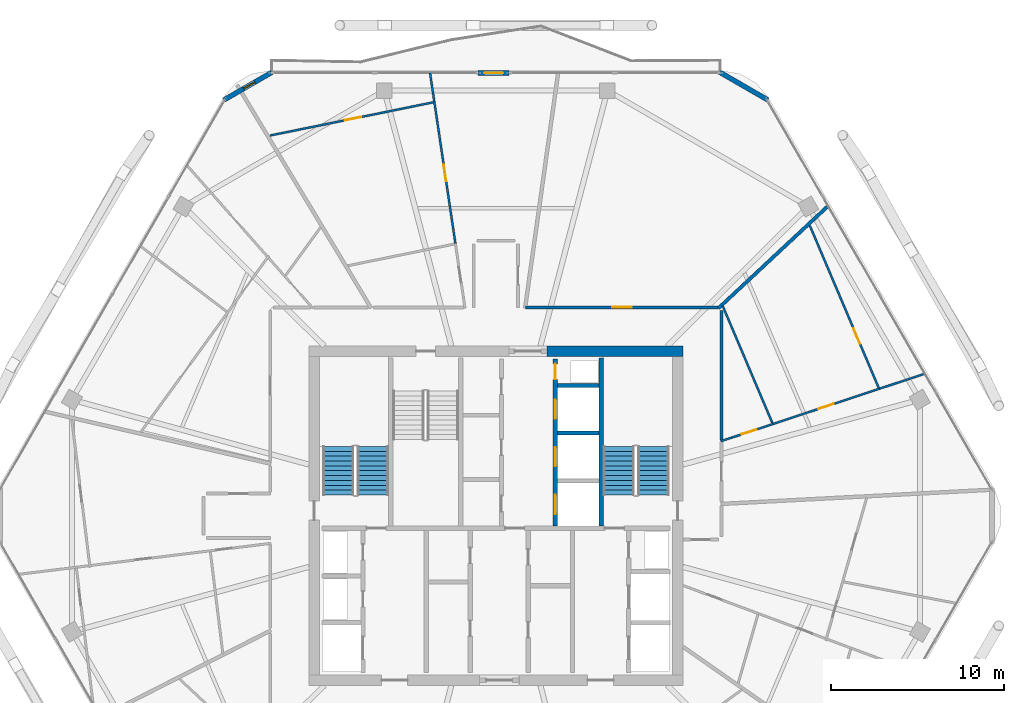
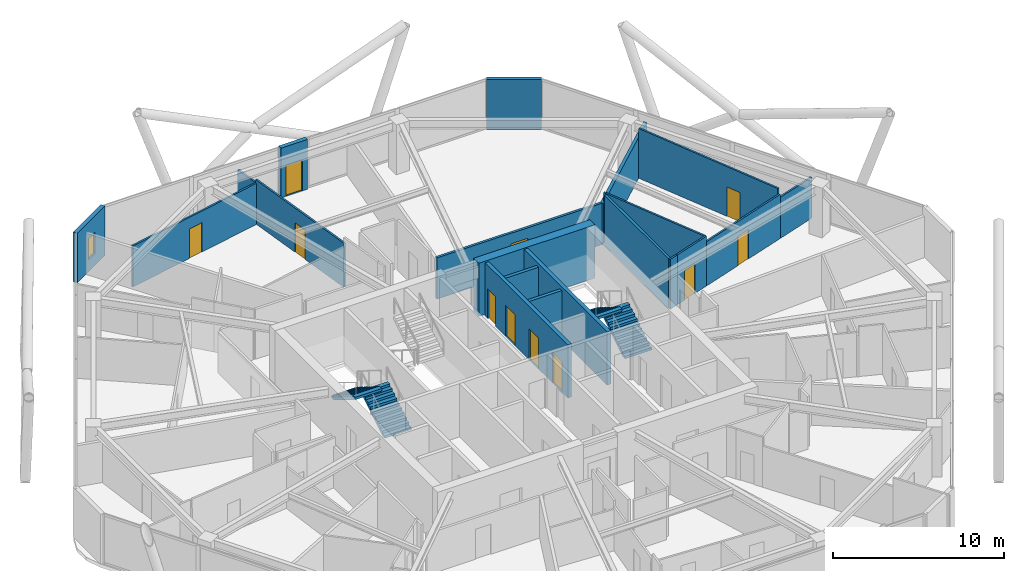
# One storey, part 24 of 28: 20 walls, 11 doors, 4 stair flights, 1 window, 12 openings, 2 elements without a shape of their own.
"""IFC4 building model written with IfcOpenShell, lengths in metres."""

import ifcopenshell
import ifcopenshell.guid

model = None  # the IFC model being written
_history = None  # IfcOwnerHistory: only IFC2X3 demands one
_inside = {}  # id of a spatial element -> (the spatial element, [elements in it])
_under = {}  # id of a project, library or spatial element -> (it, [spatial elements below it])
_declared = {}  # id of a project -> (the project, [libraries it declares])
_typed = {}  # id of a type object -> (the type object, [elements of that type])
_made_of = {}  # id of a material, layer set ... -> (it, [elements and type objects made of it])


def new_model(schema):
    """Start an empty IFC model of exactly this schema.

    Asked for "IFC4X3", IfcOpenShell would pick the latest addendum, in which some entities
    have other attributes; the version numbers below select the first issue.
    IFC2X3 requires an IfcOwnerHistory on every rooted entity: one is made here for all.
    """
    global model, _history
    if schema == "IFC4X3":
        model = ifcopenshell.file(schema_version=(4, 3, 0, 0))
    else:
        model = ifcopenshell.file(schema=schema)
    _inside.clear()
    _under.clear()
    _declared.clear()
    _typed.clear()
    _made_of.clear()
    _history = None
    if model.schema == "IFC2X3":
        org = make("IfcOrganization", Name="unknown")
        user = make(
            "IfcPersonAndOrganization",
            ThePerson=make("IfcPerson", FamilyName="unknown"),
            TheOrganization=org,
        )
        app = make(
            "IfcApplication",
            ApplicationDeveloper=org,
            Version="unknown",
            ApplicationFullName="unknown",
            ApplicationIdentifier="unknown",
        )
        _history = make(
            "IfcOwnerHistory",
            OwningUser=user,
            OwningApplication=app,
            ChangeAction="ADDED",
            CreationDate=0,
        )
    return model


def make(cls, **values):
    """One entity of the class cls with the attributes given. An attribute that is None is left unset."""
    return model.create_entity(
        cls, **{name: value for name, value in values.items() if value is not None}
    )


def rooted(cls, **values):
    """An entity with a GlobalId (a new one), such as an element, a storey or a relation."""
    return make(cls, GlobalId=ifcopenshell.guid.new(), OwnerHistory=_history, **values)


def si_unit(unit_type, name, prefix=None):
    """IfcSIUnit, for example si_unit("LENGTHUNIT", "METRE", prefix="MILLI")."""
    return make("IfcSIUnit", UnitType=unit_type, Prefix=prefix, Name=name)


def assignment(units):
    """IfcUnitAssignment: the units of a project."""
    return None if units is None else make("IfcUnitAssignment", Units=units)


def point(xyz):
    """IfcCartesianPoint."""
    return None if xyz is None else make("IfcCartesianPoint", Coordinates=xyz)


def direction(xyz):
    """IfcDirection."""
    return None if xyz is None else make("IfcDirection", DirectionRatios=xyz)


def frame(location, z_axis=None, x_axis=None):
    """IfcAxis2Placement3D, a coordinate frame: its origin and axes. An axis left out is left unset."""
    return make(
        "IfcAxis2Placement3D",
        Location=point(location),
        Axis=direction(z_axis),
        RefDirection=direction(x_axis),
    )


def frame_2d(location, x_axis=None):
    """IfcAxis2Placement2D, a coordinate frame in the plane: its origin and x axis."""
    return make(
        "IfcAxis2Placement2D", Location=point(location), RefDirection=direction(x_axis)
    )


def origin():
    """The frame at (0, 0, 0) with its axes left unset."""
    return frame((0.0, 0.0, 0.0))


def place(relative_to, where):
    """IfcLocalPlacement: puts the frame where relative to a parent placement (None: the world)."""
    return make(
        "IfcLocalPlacement", PlacementRelTo=relative_to, RelativePlacement=where
    )


def context(
    kind, dimensions, precision=None, world=None, true_north=None, identifier=None
):
    """IfcGeometricRepresentationContext, for example the 3D "Model" context."""
    return make(
        "IfcGeometricRepresentationContext",
        ContextIdentifier=identifier,
        ContextType=kind,
        CoordinateSpaceDimension=dimensions,
        Precision=precision,
        WorldCoordinateSystem=world,
        TrueNorth=true_north,
    )


def subcontext(parent, identifier, kind, view, scale=None):
    """IfcGeometricRepresentationSubContext, for example "Body" below "Model"."""
    return make(
        "IfcGeometricRepresentationSubContext",
        ContextIdentifier=identifier,
        ContextType=kind,
        ParentContext=parent,
        TargetScale=scale,
        TargetView=view,
    )


def project(units=None, contexts=None):
    """IfcProject with its units and contexts."""
    return rooted(
        "IfcProject",
        Name="project",
        RepresentationContexts=contexts,
        UnitsInContext=assignment(units),
    )


def spatial(cls, under=None, at=None, **own):
    """A site, building, storey or space (cls), placed at a placement, below another one or the project."""
    s = rooted(cls, ObjectPlacement=at, **own)
    if under is not None:
        _under.setdefault(under.id(), (under, []))[1].append(s)
    return s


def polyline(points):
    """IfcPolyline through the points."""
    return make("IfcPolyline", Points=[point(p) for p in points])


def profile(cls, at=None, kind="AREA", **sizes):
    """A parametric profile (cls). Its sizes go by their IFC names, for example OverallWidth=200.0."""
    return make(cls, ProfileType=kind, Position=at, **sizes)


def rectangle(**sizes):
    """IfcRectangleProfileDef."""
    return profile("IfcRectangleProfileDef", **sizes)


def outline(outer, holes=None, kind="AREA"):
    """IfcArbitraryClosedProfileDef: a profile drawn as a closed curve; with holes, ...WithVoids."""
    if holes is None:
        return make("IfcArbitraryClosedProfileDef", ProfileType=kind, OuterCurve=outer)
    return make(
        "IfcArbitraryProfileDefWithVoids",
        ProfileType=kind,
        OuterCurve=outer,
        InnerCurves=holes,
    )


def extrude(swept, where, along, depth):
    """IfcExtrudedAreaSolid: the profile swept, set in the frame where, extruded along a direction by depth."""
    return make(
        "IfcExtrudedAreaSolid",
        SweptArea=swept,
        Position=where,
        ExtrudedDirection=direction(along),
        Depth=depth,
    )


def shape(context_of_items, identifier, shape_type, items):
    """IfcShapeRepresentation: the items that make up one representation, for example the "Body"."""
    return make(
        "IfcShapeRepresentation",
        ContextOfItems=context_of_items,
        RepresentationIdentifier=identifier,
        RepresentationType=shape_type,
        Items=items,
    )


def material(Name=None, Category=None):
    """IfcMaterial."""
    return make("IfcMaterial", Name=Name, Category=Category)


def layer(
    of_material, thickness, ventilated=None, Name=None, Category=None, Priority=None
):
    """IfcMaterialLayer: one layer of a wall or slab, of a material (None: an air gap)."""
    return make(
        "IfcMaterialLayer",
        Material=of_material,
        LayerThickness=thickness,
        IsVentilated=ventilated,
        Name=Name,
        Category=Category,
        Priority=Priority,
    )


def layer_set(layers, Name=None):
    """IfcMaterialLayerSet."""
    return make("IfcMaterialLayerSet", MaterialLayers=layers, LayerSetName=Name)


def made_of(thing, what):
    """Note that an element or type object is made of a material, layer set ...; save() writes the relation."""
    if what is not None:
        _made_of.setdefault(what.id(), (what, []))[1].append(thing)
    return thing


def type_object(cls, material=None, **own):
    """A type object (cls), such as IfcWallType, which elements share."""
    return made_of(rooted(cls, **own), material)


def element(
    cls,
    number,
    at=None,
    inside=None,
    cuts=None,
    type_object=None,
    material=None,
    context=None,
    identifier="Body",
    shape_type=None,
    held_by="IfcProductDefinitionShape",
    body=None,
    shapes=None,
    **own,
):
    """One element of the class cls, such as IfcWall. Its Tag is "e" and its number.

    at: its placement. inside: the storey or other place that contains it. cuts: it is an
    opening in that element (IfcRelVoidsElement). A single representation is given by context,
    identifier, shape_type and body (its items); several are given by shapes. held_by: the class
    of the entity that holds the representations. save() writes the other relations.
    """
    e = rooted(cls, Tag="e%d" % number, ObjectPlacement=at, **own)
    if body is not None:
        shapes = [shape(context, identifier, shape_type, body)]
    if shapes is not None:
        e.Representation = make(held_by, Representations=shapes)
    if inside is not None:
        _inside.setdefault(inside.id(), (inside, []))[1].append(e)
    if cuts is not None:
        rooted(
            "IfcRelVoidsElement", RelatingBuildingElement=cuts, RelatedOpeningElement=e
        )
    if type_object is not None:
        _typed.setdefault(type_object.id(), (type_object, []))[1].append(e)
    return made_of(e, material)


def fill(opening, filler):
    """IfcRelFillsElement: the door or window that sits in an opening."""
    return rooted(
        "IfcRelFillsElement",
        RelatingOpeningElement=opening,
        RelatedBuildingElement=filler,
    )


def aggregate(whole, parts):
    """IfcRelAggregates: a whole, such as a stair, and the parts it consists of."""
    return rooted("IfcRelAggregates", RelatingObject=whole, RelatedObjects=parts)


def save(model, path):
    """Write the relations noted so far, then the file.

    IfcRelAggregates (storeys below a building ...), IfcRelContainedInSpatialStructure (elements
    in a storey), IfcRelDefinesByType, IfcRelAssociatesMaterial and IfcRelDeclares: one each for
    every whole, place, type object, material and project.
    """
    for whole, parts in _under.values():
        aggregate(whole, parts)
    for where, things in _inside.values():
        rooted(
            "IfcRelContainedInSpatialStructure",
            RelatedElements=things,
            RelatingStructure=where,
        )
    for kind, things in _typed.values():
        rooted("IfcRelDefinesByType", RelatedObjects=things, RelatingType=kind)
    for what, things in _made_of.values():
        rooted("IfcRelAssociatesMaterial", RelatedObjects=things, RelatingMaterial=what)
    for by, libraries in _declared.values():
        rooted("IfcRelDeclares", RelatingContext=by, RelatedDefinitions=libraries)
    model.write(path)


model = new_model("IFC4")

# Units and contexts
model_context = context("Model", 3, precision=1e-05, world=origin(), true_north=direction((0.0, 1.0)))
body_context = subcontext(model_context, "Body", "Model", "MODEL_VIEW")
ifc_project = project(units=[si_unit("LENGTHUNIT", "METRE"), si_unit("AREAUNIT", "SQUARE_METRE"), si_unit("VOLUMEUNIT", "CUBIC_METRE"), si_unit("PLANEANGLEUNIT", "RADIAN"), si_unit("MASSUNIT", "GRAM", prefix="KILO")], contexts=[model_context])

# Site, building, storey
site_placement = place(None, origin())
site = spatial("IfcSite", under=ifc_project, at=site_placement, CompositionType="ELEMENT")
building_placement = place(site_placement, origin())
building = spatial("IfcBuilding", under=site, at=building_placement, Name="Zuhravey Tower", CompositionType="ELEMENT")
storey_placement = place(building_placement, frame((0.0, 0.0, 254.0)))
storey = spatial("IfcBuildingStorey", under=building, at=storey_placement, Name="L64", CompositionType="ELEMENT", Elevation=254.0)

# Wall
ifc_material_1 = material(Name="Concrete C50/60", Category="concrete")
ifc_layer_1 = layer(ifc_material_1, 0.60009765625)
ifc_layer_set_1 = layer_set([ifc_layer_1], Name="Concrete C50/60")
wall_type_1 = type_object("IfcWallType", Name="Core Shear Wall 600", PredefinedType="SHEAR", material=ifc_layer_set_1)
wall_1_placement = place(storey_placement, frame((46.800048828125, 41.5, 0.0), z_axis=(0.0, 0.0, 1.0), x_axis=(-1.0, 0.0, 0.0)))
element("IfcWall", 1, at=wall_1_placement, inside=storey, type_object=wall_type_1, Name="L64 North-East Core Shear Wall CW60", PredefinedType="SHEAR", context=body_context, shape_type="SweptSolid", body=[
    extrude(rectangle(XDim=7.85009765625, YDim=0.60009765625, at=frame_2d((3.925048828125, 0.0))), origin(), (0.0, 0.0, 1.0), 3.800048828125),
])

# Wall, opening, door
ifc_material_2 = material(Name="Gypsum fire-rated stud partition")
ifc_layer_2 = layer(ifc_material_2, 0.159912109375)
ifc_layer_set_2 = layer_set([ifc_layer_2], Name="Gypsum fire-rated stud partition")
wall_type_2 = type_object("IfcWallType", Name="Corridor Fire Partition 160", PredefinedType="PARTITIONING", material=ifc_layer_set_2)
wall_2_placement = place(storey_placement, frame((48.85009765625, 44.030029296875, 0.0), z_axis=(0.0, 0.0, 1.0), x_axis=(-1.0, 0.0, 0.0)))
wall_2 = element("IfcWall", 2, at=wall_2_placement, inside=storey, type_object=wall_type_2, Name="L64 IW16 Partition 056", PredefinedType="PARTITIONING", context=body_context, shape_type="SweptSolid", body=[
    extrude(rectangle(XDim=11.13916015625, YDim=0.159912109375, at=frame_2d((5.569580078125, 0.0))), origin(), (0.0, 0.0, 1.0), 2.949951171875),
])
opening_1_placement = place(wall_2_placement, frame((4.994384765625, 0.0, 0.0)))
opening_1 = element("IfcOpeningElement", 3, at=opening_1_placement, cuts=wall_2, Name="Opening CLD1", PredefinedType="OPENING", context=body_context, shape_type="SweptSolid", body=[
    extrude(rectangle(XDim=1.14990234375, YDim=2.199951171875, at=frame_2d((0.574951171875, 1.10009765625))), frame((0.0, 0.092041015625, 0.0), z_axis=(0.0, -1.0, 0.0), x_axis=(1.0, 0.0, 0.0)), (0.0, 0.0, 1.0), 0.183837890625),
])
ifc_material_3 = material(Name="Acoustic timber leaf with vision lite", Category="wood")
door_type_1 = type_object("IfcDoorType", Name="Classroom Acoustic Door 1150x2200", OperationType="NOTDEFINED", PredefinedType="DOOR", material=ifc_material_3)
door_1_placement = place(opening_1_placement, frame((1.14990234375, 0.0, 0.0), z_axis=(0.0, 0.0, 1.0), x_axis=(-1.0, 0.0, 0.0)))
door_1 = element("IfcDoor", 4, at=door_1_placement, inside=storey, type_object=door_type_1, Name="L64 Door 056.1", OperationType="SINGLE_SWING_LEFT", OverallHeight=2.199951171875, OverallWidth=1.14990234375, PredefinedType="DOOR", context=body_context, shape_type="SweptSolid", body=[
    extrude(rectangle(XDim=1.14990234375, YDim=2.199951171875, at=frame_2d((0.574951171875, 1.10009765625))), frame((0.0, 0.02490234375, 0.0), z_axis=(0.0, -1.0, 0.0), x_axis=(1.0, 0.0, 0.0)), (0.0, 0.0, 1.0), 0.050048828125),
])
fill(opening_1, door_1)

# Wall
wall_3_placement = place(storey_placement, frame((49.030029296875, 36.385986328125, 0.0), z_axis=(0.0, 0.0, 1.0), x_axis=(0.0, 1.0, 0.0)))
element("IfcWall", 5, at=wall_3_placement, inside=storey, type_object=wall_type_2, Name="L64 IW16 Partition 119", PredefinedType="PARTITIONING", context=body_context, shape_type="SweptSolid", body=[
    extrude(rectangle(XDim=7.464111328125, YDim=0.159912109375, at=frame_2d((3.73193359375, 0.0))), origin(), (0.0, 0.0, 1.0), 3.550048828125),
])

# Wall, opening, window
ifc_material_4 = material(Name="Precast concrete C40/50", Category="concrete")
ifc_layer_3 = layer(ifc_material_4, 0.280029296875)
ifc_layer_set_3 = layer_set([ifc_layer_3], Name="Precast concrete C40/50")
wall_type_3 = type_object("IfcWallType", Name="Crown Architectural Wall 280", PredefinedType="SOLIDWALL", material=ifc_layer_set_3)
wall_4_placement = place(storey_placement, frame((20.285400390625, 56.003662109375, 0.0), z_axis=(0.0, 0.0, 1.0), x_axis=(0.866028773314, 0.499994163758, 0.0)))
wall_4 = element("IfcWall", 6, at=wall_4_placement, inside=storey, type_object=wall_type_3, Name="L64 Rounded Corner Closure Wall EW28-08", PredefinedType="SOLIDWALL", context=body_context, shape_type="SweptSolid", body=[
    extrude(rectangle(XDim=3.21484375, YDim=0.280029296875, at=frame_2d((1.607421875, 0.0))), origin(), (0.0, 0.0, 1.0), 3.550048828125),
])
opening_2_placement = place(wall_4_placement, frame((1.324462890625, 0.0, 0.85009765625)))
opening_2 = element("IfcOpeningElement", 7, at=opening_2_placement, cuts=wall_4, Name="Opening WN5", PredefinedType="OPENING", context=body_context, shape_type="SweptSolid", body=[
    extrude(rectangle(XDim=0.75, YDim=1.5, at=frame_2d((0.375, 0.75))), frame((0.0, 0.152099609375, 0.0), z_axis=(0.0, -1.0, 0.0), x_axis=(1.0, 0.0, 0.0)), (0.0, 0.0, 1.0), 0.303955078125),
])
ifc_material_5 = material(Name="Thermally broken aluminium and triple low-E glass", Category="aluminium")
window_type = type_object("IfcWindowType", Name="Residential Corner Casement Window 750x1500", PartitioningType="SINGLE_PANEL", PredefinedType="WINDOW", material=ifc_material_5)
window_placement = place(opening_2_placement, origin())
window = element("IfcWindow", 8, at=window_placement, inside=storey, type_object=window_type, Name="L64 Corner Casement Window WN5-08.1", OverallHeight=1.5, OverallWidth=0.75, PartitioningType="SINGLE_PANEL", PredefinedType="WINDOW", context=body_context, shape_type="SweptSolid", body=[
    extrude(rectangle(XDim=0.75, YDim=1.5, at=frame_2d((0.375, 0.75))), frame((0.0, 0.030029296875, 0.0), z_axis=(0.0, -1.0, 0.0), x_axis=(1.0, 0.0, 0.0)), (0.0, 0.0, 1.0), 0.06005859375),
])
fill(opening_2, window)

# Wall, opening, door
wall_5_placement = place(storey_placement, frame((34.980224609375, 57.563720703125, 0.0), z_axis=(0.0, 0.0, 1.0), x_axis=(1.0, 0.0, 0.0)))
wall_5 = element("IfcWall", 9, at=wall_5_placement, inside=storey, type_object=wall_type_3, Name="L64 Face 2 Facade Pier EW28-1", PredefinedType="SOLIDWALL", context=body_context, shape_type="SweptSolid", body=[
    extrude(rectangle(XDim=1.7900390625, YDim=0.280029296875, at=frame_2d((0.89501953125, 0.0))), origin(), (0.0, 0.0, 1.0), 3.550048828125),
])
opening_3_placement = place(wall_5_placement, frame((0.344970703125, 0.0, 0.0)))
opening_3 = element("IfcOpeningElement", 10, at=opening_3_placement, cuts=wall_5, Name="Opening BLD1", PredefinedType="OPENING", context=body_context, shape_type="SweptSolid", body=[
    extrude(rectangle(XDim=1.10009765625, YDim=2.199951171875, at=frame_2d((0.550048828125, 1.10009765625))), frame((0.0, 0.152099609375, 0.0), z_axis=(0.0, -1.0, 0.0), x_axis=(1.0, 0.0, 0.0)), (0.0, 0.0, 1.0), 0.303955078125),
])
ifc_material_6 = material(Name="Thermally broken aluminium and low-E glass", Category="aluminium")
door_type_2 = type_object("IfcDoorType", Name="Balcony & Sky-Tray Glazed Door 1100x2200", OperationType="NOTDEFINED", PredefinedType="DOOR", material=ifc_material_6)
door_2_placement = place(opening_3_placement, frame((1.10009765625, 0.0, 0.0), z_axis=(0.0, 0.0, 1.0), x_axis=(-1.0, 0.0, 0.0)))
door_2 = element("IfcDoor", 11, at=door_2_placement, inside=storey, type_object=door_type_2, Name="L64 Face 2 Wave Balcony Door", OperationType="SINGLE_SWING_RIGHT", OverallHeight=2.199951171875, OverallWidth=1.10009765625, PredefinedType="DOOR", context=body_context, shape_type="SweptSolid", body=[
    extrude(rectangle(XDim=1.10009765625, YDim=2.199951171875, at=frame_2d((0.550048828125, 1.10009765625))), frame((0.0, 0.02490234375, 0.0), z_axis=(0.0, -1.0, 0.0), x_axis=(1.0, 0.0, 0.0)), (0.0, 0.0, 1.0), 0.050048828125),
])
fill(opening_3, door_2)

# Walls
wall_6_placement = place(storey_placement, frame((48.930419921875, 57.611083984375, 0.0), z_axis=(0.0, 0.0, 1.0), x_axis=(0.866028773314, -0.499994163758, 0.0)))
element("IfcWall", 12, at=wall_6_placement, inside=storey, type_object=wall_type_3, Name="L64 Rounded Corner Closure Wall EW28-10", PredefinedType="SOLIDWALL", context=body_context, shape_type="SweptSolid", body=[
    extrude(rectangle(XDim=3.21484375, YDim=0.280029296875, at=frame_2d((1.607421875, 0.0))), origin(), (0.0, 0.0, 1.0), 3.550048828125),
])
ifc_layer_4 = layer(ifc_material_1, 0.25)
ifc_layer_set_4 = layer_set([ifc_layer_4], Name="Concrete C50/60")
wall_type_4 = type_object("IfcWallType", Name="Firefighting Shaft & Stair Wall 250", PredefinedType="SOLIDWALL", material=ifc_layer_set_4)
wall_7_placement = place(storey_placement, frame((42.074951171875, 31.39990234375, 0.0), z_axis=(0.0, 0.0, 1.0), x_axis=(0.0, 1.0, 0.0)))
element("IfcWall", 13, at=wall_7_placement, inside=storey, type_object=wall_type_4, Name="L64 FW25 Shaft Wall 006", PredefinedType="SOLIDWALL", context=body_context, shape_type="SweptSolid", body=[
    extrude(rectangle(XDim=9.7001953125, YDim=0.25, at=frame_2d((4.85009765625, 0.0))), origin(), (0.0, 0.0, 1.0), 3.800048828125),
])

# Wall, openings, doors
wall_8_placement = place(storey_placement, frame((39.425048828125, 31.39990234375, 0.0), z_axis=(0.0, 0.0, 1.0), x_axis=(0.0, 1.0, 0.0)))
wall_8 = element("IfcWall", 14, at=wall_8_placement, inside=storey, type_object=wall_type_4, Name="L64 FW25 Shaft Wall 008", PredefinedType="SOLIDWALL", context=body_context, shape_type="SweptSolid", body=[
    extrude(rectangle(XDim=9.650146484375, YDim=0.25, at=frame_2d((4.8251953125, 0.0))), origin(), (0.0, 0.0, 1.0), 3.800048828125),
])
opening_4_placement = place(wall_8_placement, frame((0.699951171875, 0.0, 0.0)))
opening_4 = element("IfcOpeningElement", 15, at=opening_4_placement, cuts=wall_8, Name="Opening LD1", PredefinedType="OPENING", context=body_context, shape_type="SweptSolid", body=[
    extrude(rectangle(XDim=1.10009765625, YDim=2.199951171875, at=frame_2d((0.550048828125, 1.10009765625))), frame((0.0, 0.136962890625, 0.0), z_axis=(0.0, -1.0, 0.0), x_axis=(1.0, 0.0, 0.0)), (0.0, 0.0, 1.0), 0.27392578125),
])
opening_5_placement = place(wall_8_placement, frame((3.449951171875, 0.0, 0.0)))
opening_5 = element("IfcOpeningElement", 16, at=opening_5_placement, cuts=wall_8, Name="Opening LD1", PredefinedType="OPENING", context=body_context, shape_type="SweptSolid", body=[
    extrude(rectangle(XDim=1.10009765625, YDim=2.199951171875, at=frame_2d((0.550048828125, 1.10009765625))), frame((0.0, 0.136962890625, 0.0), z_axis=(0.0, -1.0, 0.0), x_axis=(1.0, 0.0, 0.0)), (0.0, 0.0, 1.0), 0.27392578125),
])
opening_6_placement = place(wall_8_placement, frame((6.199951171875, 0.0, 0.0)))
opening_6 = element("IfcOpeningElement", 17, at=opening_6_placement, cuts=wall_8, Name="Opening LD1", PredefinedType="OPENING", context=body_context, shape_type="SweptSolid", body=[
    extrude(rectangle(XDim=1.10009765625, YDim=2.199951171875, at=frame_2d((0.550048828125, 1.10009765625))), frame((0.0, 0.136962890625, 0.0), z_axis=(0.0, -1.0, 0.0), x_axis=(1.0, 0.0, 0.0)), (0.0, 0.0, 1.0), 0.27392578125),
])
opening_7_placement = place(wall_8_placement, frame((8.469970703125, 0.0, 0.0)))
opening_7 = element("IfcOpeningElement", 18, at=opening_7_placement, cuts=wall_8, Name="Opening RSD1", PredefinedType="OPENING", context=body_context, shape_type="SweptSolid", body=[
    extrude(rectangle(XDim=0.89990234375, YDim=2.10009765625, at=frame_2d((0.449951171875, 1.050048828125))), frame((0.0, 0.136962890625, 0.0), z_axis=(0.0, -1.0, 0.0), x_axis=(1.0, 0.0, 0.0)), (0.0, 0.0, 1.0), 0.27392578125),
])
ifc_material_7 = material(Name="Brushed stainless steel", Category="steel")
door_type_3 = type_object("IfcDoorType", Name="Lift Landing Sliding Door 1100x2200", OperationType="DOUBLE_DOOR_SLIDING", PredefinedType="DOOR", material=ifc_material_7)
door_3_placement = place(opening_4_placement, origin())
door_3 = element("IfcDoor", 19, at=door_3_placement, inside=storey, type_object=door_type_3, Name="L64 Lift PL7 Landing Door", OperationType="DOUBLE_DOOR_SLIDING", OverallHeight=2.199951171875, OverallWidth=1.10009765625, PredefinedType="DOOR", context=body_context, shape_type="SweptSolid", body=[
    extrude(rectangle(XDim=1.10009765625, YDim=2.199951171875, at=frame_2d((0.550048828125, 1.10009765625))), frame((0.0, 0.02490234375, 0.0), z_axis=(0.0, -1.0, 0.0), x_axis=(1.0, 0.0, 0.0)), (0.0, 0.0, 1.0), 0.050048828125),
])
fill(opening_4, door_3)
door_4_placement = place(opening_5_placement, origin())
door_4 = element("IfcDoor", 20, at=door_4_placement, inside=storey, type_object=door_type_3, Name="L64 Lift PL8 Landing Door", OperationType="DOUBLE_DOOR_SLIDING", OverallHeight=2.199951171875, OverallWidth=1.10009765625, PredefinedType="DOOR", context=body_context, shape_type="SweptSolid", body=[
    extrude(rectangle(XDim=1.10009765625, YDim=2.199951171875, at=frame_2d((0.550048828125, 1.10009765625))), frame((0.0, 0.02490234375, 0.0), z_axis=(0.0, -1.0, 0.0), x_axis=(1.0, 0.0, 0.0)), (0.0, 0.0, 1.0), 0.050048828125),
])
fill(opening_5, door_4)
door_5_placement = place(opening_6_placement, origin())
door_5 = element("IfcDoor", 21, at=door_5_placement, inside=storey, type_object=door_type_3, Name="L64 Lift PL9 Landing Door", OperationType="DOUBLE_DOOR_SLIDING", OverallHeight=2.199951171875, OverallWidth=1.10009765625, PredefinedType="DOOR", context=body_context, shape_type="SweptSolid", body=[
    extrude(rectangle(XDim=1.10009765625, YDim=2.199951171875, at=frame_2d((0.550048828125, 1.10009765625))), frame((0.0, 0.02490234375, 0.0), z_axis=(0.0, -1.0, 0.0), x_axis=(1.0, 0.0, 0.0)), (0.0, 0.0, 1.0), 0.050048828125),
])
fill(opening_6, door_5)
ifc_material_8 = material(Name="Galvanised fire-rated steel access leaf", Category="steel")
door_type_4 = type_object("IfcDoorType", Name="Riser & Shaft Access Fire Door 900x2100", OperationType="NOTDEFINED", PredefinedType="DOOR", material=ifc_material_8)
door_6_placement = place(opening_7_placement, origin())
door_6 = element("IfcDoor", 22, at=door_6_placement, inside=storey, type_object=door_type_4, Name="L64 North Riser Door", OperationType="SINGLE_SWING_RIGHT", OverallHeight=2.10009765625, OverallWidth=0.89990234375, PredefinedType="DOOR", context=body_context, shape_type="SweptSolid", body=[
    extrude(rectangle(XDim=0.89990234375, YDim=2.10009765625, at=frame_2d((0.449951171875, 1.050048828125))), frame((0.0, 0.02490234375, 0.0), z_axis=(0.0, -1.0, 0.0), x_axis=(1.0, 0.0, 0.0)), (0.0, 0.0, 1.0), 0.050048828125),
])
fill(opening_7, door_6)

# Walls
ifc_material_9 = material(Name="Gypsum double-stud party assembly")
ifc_layer_5 = layer(ifc_material_9, 0.199951171875)
ifc_layer_set_5 = layer_set([ifc_layer_5], Name="Gypsum double-stud party assembly")
wall_type_5 = type_object("IfcWallType", Name="Inter-Tenancy Party Wall 200", PredefinedType="PARTITIONING", material=ifc_layer_set_5)
wall_9_placement = place(storey_placement, frame((48.857421875, 43.989501953125, 0.0), z_axis=(0.0, 0.0, 1.0), x_axis=(0.731342217011, 0.682010675589, 0.0)))
element("IfcWall", 23, at=wall_9_placement, inside=storey, type_object=wall_type_5, Name="L64 IW20 Partition 098", PredefinedType="PARTITIONING", context=body_context, shape_type="SweptSolid", body=[
    extrude(rectangle(XDim=8.65576171875, YDim=0.199951171875, at=frame_2d((4.327880859375, 0.0))), origin(), (0.0, 0.0, 1.0), 2.929931640625),
])
ifc_material_10 = material(Name="Gypsum acoustic stud assembly")
ifc_layer_6 = layer(ifc_material_10, 0.219970703125)
ifc_layer_set_6 = layer_set([ifc_layer_6], Name="Gypsum acoustic stud assembly")
wall_type_6 = type_object("IfcWallType", Name="School Acoustic Compartment Wall 220", PredefinedType="PARTITIONING", material=ifc_layer_set_6)
for number, where, z_axis, x_axis, name in (
    (24, (39.55810546875, 36.77490234375, 0.0), (0.0, 0.0, 1.0), (1.0, 0.0, 0.0), "L64 IW22 Partition 064"),
    (25, (39.55810546875, 39.52490234375, 0.0), (0.0, 0.0, 1.0), (1.0, 0.0, 0.0), "L64 IW22 Partition 065"),
):
    element("IfcWall", number, at=place(storey_placement, frame(where, z_axis=z_axis, x_axis=x_axis)), inside=storey, type_object=wall_type_6, Name=name, PredefinedType="PARTITIONING", context=body_context, shape_type="SweptSolid", body=[
        extrude(rectangle(XDim=2.3837890625, YDim=0.219970703125, at=frame_2d((1.19189453125, 0.0))), origin(), (0.0, 0.0, 1.0), 3.550048828125),
    ])

# Wall, opening, door
ifc_material_11 = material(Name="Gypsum metal-stud partition")
ifc_layer_7 = layer(ifc_material_11, 0.1201171875)
ifc_layer_set_7 = layer_set([ifc_layer_7], Name="Gypsum metal-stud partition")
wall_type_7 = type_object("IfcWallType", Name="Unit Internal Partition 120", PredefinedType="PARTITIONING", material=ifc_layer_set_7)
wall_10_placement = place(storey_placement, frame((49.60009765625, 36.5029296875, 0.0), z_axis=(0.0, 0.0, 1.0), x_axis=(0.949295505905, 0.314385181693, 0.0)))
wall_10 = element("IfcWall", 26, at=wall_10_placement, inside=storey, type_object=wall_type_7, Name="L64 IW12 Partition 052", PredefinedType="PARTITIONING", context=body_context, shape_type="SweptSolid", body=[
    extrude(rectangle(XDim=2.544921875, YDim=0.1201171875, at=frame_2d((1.2724609375, 0.0))), origin(), (0.0, 0.0, 1.0), 3.550048828125),
])
opening_8_placement = place(wall_10_placement, frame((0.618896484375, 0.0, 0.0)))
opening_8 = element("IfcOpeningElement", 27, at=opening_8_placement, cuts=wall_10, Name="Opening WCD1", PredefinedType="OPENING", context=body_context, shape_type="SweptSolid", body=[
    extrude(rectangle(XDim=0.89990234375, YDim=2.10009765625, at=frame_2d((0.449951171875, 1.050048828125))), frame((0.0, 0.072021484375, 0.0), z_axis=(0.0, -1.0, 0.0), x_axis=(1.0, 0.0, 0.0)), (0.0, 0.0, 1.0), 0.14404296875),
])
ifc_material_12 = material(Name="Moisture-resistant timber leaf", Category="wood")
door_type_5 = type_object("IfcDoorType", Name="Bathroom & WC Internal Door 900x2100", OperationType="NOTDEFINED", PredefinedType="DOOR", material=ifc_material_12)
door_7_placement = place(opening_8_placement, origin())
door_7 = element("IfcDoor", 28, at=door_7_placement, inside=storey, type_object=door_type_5, Name="Apartment L64-07 Bathroom Door", OperationType="SINGLE_SWING_LEFT", OverallHeight=2.10009765625, OverallWidth=0.89990234375, PredefinedType="DOOR", context=body_context, shape_type="SweptSolid", body=[
    extrude(rectangle(XDim=0.89990234375, YDim=2.10009765625, at=frame_2d((0.449951171875, 1.050048828125))), frame((0.0, 0.02490234375, 0.0), z_axis=(0.0, -1.0, 0.0), x_axis=(1.0, 0.0, 0.0)), (0.0, 0.0, 1.0), 0.050048828125),
])
fill(opening_8, door_7)

wall_11_placement = place(storey_placement, frame((52.015869140625, 37.302978515625, 0.0), z_axis=(0.0, 0.0, 1.0), x_axis=(0.949319431561, 0.314312928243, 0.0)))
wall_11 = element("IfcWall", 29, at=wall_11_placement, inside=storey, type_object=wall_type_7, Name="L64 IW12 Partition 053", PredefinedType="PARTITIONING", context=body_context, shape_type="SweptSolid", body=[
    extrude(rectangle(XDim=6.46630859375, YDim=0.1201171875, at=frame_2d((3.233154296875, 0.0))), origin(), (0.0, 0.0, 1.0), 3.14990234375),
])
opening_9_placement = place(wall_11_placement, frame((2.733154296875, 0.0, 0.0)))
opening_9 = element("IfcOpeningElement", 30, at=opening_9_placement, cuts=wall_11, Name="Opening IND1", PredefinedType="OPENING", context=body_context, shape_type="SweptSolid", body=[
    extrude(rectangle(XDim=0.949951171875, YDim=2.10009765625, at=frame_2d((0.47509765625, 1.050048828125))), frame((0.0, 0.072021484375, 0.0), z_axis=(0.0, -1.0, 0.0), x_axis=(1.0, 0.0, 0.0)), (0.0, 0.0, 1.0), 0.14404296875),
])
ifc_material_13 = material(Name="Painted engineered timber leaf", Category="wood")
door_type_6 = type_object("IfcDoorType", Name="Internal Room & Bedroom Door 950x2100", OperationType="NOTDEFINED", PredefinedType="DOOR", material=ifc_material_13)
door_8_placement = place(opening_9_placement, origin())
door_8 = element("IfcDoor", 31, at=door_8_placement, inside=storey, type_object=door_type_6, Name="Apartment L64-07 Home Office Door", OperationType="SINGLE_SWING_RIGHT", OverallHeight=2.10009765625, OverallWidth=0.949951171875, PredefinedType="DOOR", context=body_context, shape_type="SweptSolid", body=[
    extrude(rectangle(XDim=0.949951171875, YDim=2.10009765625, at=frame_2d((0.47509765625, 1.050048828125))), frame((0.0, 0.02490234375, 0.0), z_axis=(0.0, -1.0, 0.0), x_axis=(1.0, 0.0, 0.0)), (0.0, 0.0, 1.0), 0.050048828125),
])
fill(opening_9, door_8)

wall_12_placement = place(storey_placement, frame((58.104248046875, 39.390380859375, 0.0), z_axis=(0.0, 0.0, 1.0), x_axis=(-0.390729276491, 0.920505639577, 0.0)))
wall_12 = element("IfcWall", 32, at=wall_12_placement, inside=storey, type_object=wall_type_7, Name="L64 IW12 Partition 054", PredefinedType="PARTITIONING", context=body_context, shape_type="SweptSolid", body=[
    extrude(rectangle(XDim=10.16796875, YDim=0.1201171875, at=frame_2d((5.083984375, 0.0))), origin(), (0.0, 0.0, 1.0), 3.550048828125),
])
opening_10_placement = place(wall_12_placement, frame((2.7646484375, 0.0, 0.0)))
opening_10 = element("IfcOpeningElement", 33, at=opening_10_placement, cuts=wall_12, Name="Opening IND1", PredefinedType="OPENING", context=body_context, shape_type="SweptSolid", body=[
    extrude(rectangle(XDim=0.949951171875, YDim=2.10009765625, at=frame_2d((0.47509765625, 1.050048828125))), frame((0.0, 0.072021484375, 0.0), z_axis=(0.0, -1.0, 0.0), x_axis=(1.0, 0.0, 0.0)), (0.0, 0.0, 1.0), 0.14404296875),
])
door_9_placement = place(opening_10_placement, frame((0.949951171875, 0.0, 0.0), z_axis=(0.0, 0.0, 1.0), x_axis=(-1.0, 0.0, 0.0)))
door_9 = element("IfcDoor", 34, at=door_9_placement, inside=storey, type_object=door_type_6, Name="Apartment L64-07 Bedroom 1 Door", OperationType="SINGLE_SWING_LEFT", OverallHeight=2.10009765625, OverallWidth=0.949951171875, PredefinedType="DOOR", context=body_context, shape_type="SweptSolid", body=[
    extrude(rectangle(XDim=0.949951171875, YDim=2.10009765625, at=frame_2d((0.47509765625, 1.050048828125))), frame((0.0, 0.02490234375, 0.0), z_axis=(0.0, -1.0, 0.0), x_axis=(1.0, 0.0, 0.0)), (0.0, 0.0, 1.0), 0.050048828125),
])
fill(opening_10, door_9)

wall_13_placement = place(storey_placement, frame((33.660888671875, 47.72705078125, 0.0), z_axis=(0.0, 0.0, 1.0), x_axis=(-0.14711109058, 0.989119976054, 0.0)))
wall_13 = element("IfcWall", 35, at=wall_13_placement, inside=storey, type_object=wall_type_7, Name="L64 IW12 Partition 058", PredefinedType="PARTITIONING", context=body_context, shape_type="SweptSolid", body=[
    extrude(rectangle(XDim=8.274658203125, YDim=0.1201171875, at=frame_2d((4.13720703125, 0.0))), origin(), (0.0, 0.0, 1.0), 3.14990234375),
])
opening_11_placement = place(wall_13_placement, frame((3.63720703125, 0.0, 0.0)))
opening_11 = element("IfcOpeningElement", 36, at=opening_11_placement, cuts=wall_13, Name="Opening IND1", PredefinedType="OPENING", context=body_context, shape_type="SweptSolid", body=[
    extrude(rectangle(XDim=0.949951171875, YDim=2.10009765625, at=frame_2d((0.47509765625, 1.050048828125))), frame((0.0, 0.072021484375, 0.0), z_axis=(0.0, -1.0, 0.0), x_axis=(1.0, 0.0, 0.0)), (0.0, 0.0, 1.0), 0.14404296875),
])
door_10_placement = place(opening_11_placement, origin())
door_10 = element("IfcDoor", 37, at=door_10_placement, inside=storey, type_object=door_type_6, Name="Apartment L64-09 Home Office Door", OperationType="SINGLE_SWING_LEFT", OverallHeight=2.10009765625, OverallWidth=0.949951171875, PredefinedType="DOOR", context=body_context, shape_type="SweptSolid", body=[
    extrude(rectangle(XDim=0.949951171875, YDim=2.10009765625, at=frame_2d((0.47509765625, 1.050048828125))), frame((0.0, 0.02490234375, 0.0), z_axis=(0.0, -1.0, 0.0), x_axis=(1.0, 0.0, 0.0)), (0.0, 0.0, 1.0), 0.050048828125),
])
fill(opening_11, door_10)

wall_14_placement = place(storey_placement, frame((32.380615234375, 55.873291015625, 0.0), z_axis=(0.0, 0.0, 1.0), x_axis=(-0.979928346311, -0.199350034099, 0.0)))
wall_14 = element("IfcWall", 38, at=wall_14_placement, inside=storey, type_object=wall_type_7, Name="L64 IW12 Partition 059", PredefinedType="PARTITIONING", context=body_context, shape_type="SweptSolid", body=[
    extrude(rectangle(XDim=9.622314453125, YDim=0.1201171875, at=frame_2d((4.81103515625, 0.0))), origin(), (0.0, 0.0, 1.0), 2.929931640625),
])
opening_12_placement = place(wall_14_placement, frame((4.251953125, 0.0, 0.0)))
opening_12 = element("IfcOpeningElement", 39, at=opening_12_placement, cuts=wall_14, Name="Opening IND1", PredefinedType="OPENING", context=body_context, shape_type="SweptSolid", body=[
    extrude(rectangle(XDim=0.949951171875, YDim=2.10009765625, at=frame_2d((0.47509765625, 1.050048828125))), frame((0.0, 0.072021484375, 0.0), z_axis=(0.0, -1.0, 0.0), x_axis=(1.0, 0.0, 0.0)), (0.0, 0.0, 1.0), 0.14404296875),
])
door_11_placement = place(opening_12_placement, frame((0.949951171875, 0.0, 0.0), z_axis=(0.0, 0.0, 1.0), x_axis=(-1.0, 0.0, 0.0)))
door_11 = element("IfcDoor", 40, at=door_11_placement, inside=storey, type_object=door_type_6, Name="Apartment L64-09 Bedroom 1 Door", OperationType="SINGLE_SWING_RIGHT", OverallHeight=2.10009765625, OverallWidth=0.949951171875, PredefinedType="DOOR", context=body_context, shape_type="SweptSolid", body=[
    extrude(rectangle(XDim=0.949951171875, YDim=2.10009765625, at=frame_2d((0.47509765625, 1.050048828125))), frame((0.0, 0.02490234375, 0.0), z_axis=(0.0, -1.0, 0.0), x_axis=(1.0, 0.0, 0.0)), (0.0, 0.0, 1.0), 0.050048828125),
])
fill(opening_12, door_11)

# Walls
wall_15_placement = place(storey_placement, frame((48.986328125, 36.2998046875, 0.0), z_axis=(0.0, 0.0, 1.0), x_axis=(0.94936083971, 0.314187835576, 0.0)))
element("IfcWall", 41, at=wall_15_placement, inside=storey, type_object=wall_type_7, Name="L64 IW12 Partition 095", PredefinedType="PARTITIONING", context=body_context, shape_type="SweptSolid", body=[
    extrude(rectangle(XDim=0.646484375, YDim=0.1201171875, at=frame_2d((0.3232421875, 0.0))), origin(), (0.0, 0.0, 1.0), 3.550048828125),
])
wall_16_placement = place(storey_placement, frame((58.154541015625, 39.335693359375, 0.0), z_axis=(0.0, 0.0, 1.0), x_axis=(0.949341960768, 0.314244875098, 0.0)))
element("IfcWall", 42, at=wall_16_placement, inside=storey, type_object=wall_type_7, Name="L64 IW12 Partition 096", PredefinedType="PARTITIONING", context=body_context, shape_type="SweptSolid", body=[
    extrude(rectangle(XDim=2.771240234375, YDim=0.1201171875, at=frame_2d((1.3857421875, 0.0))), origin(), (0.0, 0.0, 1.0), 2.929931640625),
])
wall_17_placement = place(storey_placement, frame((51.965576171875, 37.35791015625, 0.0), z_axis=(0.0, 0.0, 1.0), x_axis=(-0.39073730392, 0.920502232113, 0.0)))
element("IfcWall", 43, at=wall_17_placement, inside=storey, type_object=wall_type_7, Name="L64 IW12 Partition 097", PredefinedType="PARTITIONING", context=body_context, shape_type="SweptSolid", body=[
    extrude(rectangle(XDim=7.35791015625, YDim=0.1201171875, at=frame_2d((3.678955078125, 0.0))), origin(), (0.0, 0.0, 1.0), 3.550048828125),
])
wall_18_placement = place(storey_placement, frame((32.443359375, 55.91162109375, 0.0), z_axis=(0.0, 0.0, 1.0), x_axis=(-0.147050413957, 0.989128998541, 0.0)))
element("IfcWall", 44, at=wall_18_placement, inside=storey, type_object=wall_type_7, Name="L64 IW12 Partition 101", PredefinedType="PARTITIONING", context=body_context, shape_type="SweptSolid", body=[
    extrude(rectangle(XDim=1.67529296875, YDim=0.1201171875, at=frame_2d((0.837646484375, 0.0))), origin(), (0.0, 0.0, 1.0), 2.929931640625),
])

# Stair, stair flights
ifc_material_14 = material(Name="Concrete C40/50", Category="concrete")
stair_type = type_object("IfcStairType", Name="Housing Storey Stair Assembly 3800", PredefinedType="HALF_TURN_STAIR", material=ifc_material_14)
stair_1_placement = place(storey_placement, origin())
stair_1 = element("IfcStair", 45, at=stair_1_placement, inside=storey, type_object=stair_type, Name="L64 Core Exit Stair ST1", PredefinedType="HALF_TURN_STAIR")
stair_flight_type = type_object("IfcStairFlightType", Name="Housing Storey Stair Flight 3800", PredefinedType="STRAIGHT", material=ifc_material_14)
stair_flight_1_placement = place(storey_placement, frame((28.89990234375, 33.199951171875, 0.0), z_axis=(0.0, 0.0, 1.0), x_axis=(0.0, 1.0, 0.0)))
stair_flight_1 = element("IfcStairFlight", 46, at=stair_flight_1_placement, type_object=stair_flight_type, Name="ST1 flight 1", NumberOfRisers=11, NumberOfTreads=10, PredefinedType="STRAIGHT", RiserHeight=0.172727273, TreadLength=0.28, context=body_context, shape_type="SweptSolid", body=[
    extrude(outline(polyline([(0.0, 0.0), (0.0, 0.172607421875), (0.280029296875, 0.172607421875), (0.280029296875, 0.345458984375), (0.56005859375, 0.345458984375), (0.56005859375, 0.51806640625), (0.840087890625, 0.51806640625), (0.840087890625, 0.69091796875), (1.1201171875, 0.69091796875), (1.1201171875, 0.863525390625), (1.39990234375, 0.863525390625), (1.39990234375, 1.036376953125), (1.679931640625, 1.036376953125), (1.679931640625, 1.208984375), (1.9599609375, 1.208984375), (1.9599609375, 1.3818359375), (2.239990234375, 1.3818359375), (2.239990234375, 1.554443359375), (2.52001953125, 1.554443359375), (2.52001953125, 1.727294921875), (2.800048828125, 1.727294921875), (2.800048828125, 1.89990234375), (2.800048828125, 1.551025390625), (0.285400390625, 0.0), (0.0, 0.0)])), frame((0.0, 0.89990234375, 0.0), z_axis=(0.0, -1.0, 0.0), x_axis=(1.0, 0.0, 0.0)), (0.0, 0.0, 1.0), 1.800048828125),
])
stair_flight_2_placement = place(storey_placement, frame((26.89990234375, 36.0, 1.89990234375), z_axis=(0.0, 0.0, 1.0), x_axis=(0.0, -1.0, 0.0)))
stair_flight_2 = element("IfcStairFlight", 47, at=stair_flight_2_placement, type_object=stair_flight_type, Name="ST1 flight 2", NumberOfRisers=11, NumberOfTreads=10, PredefinedType="STRAIGHT", RiserHeight=0.172727273, TreadLength=0.28, context=body_context, shape_type="SweptSolid", body=[
    extrude(outline(polyline([(0.0, 0.0), (0.0, 0.172607421875), (0.280029296875, 0.172607421875), (0.280029296875, 0.345458984375), (0.56005859375, 0.345458984375), (0.56005859375, 0.51806640625), (0.840087890625, 0.51806640625), (0.840087890625, 0.69091796875), (1.1201171875, 0.69091796875), (1.1201171875, 0.863525390625), (1.39990234375, 0.863525390625), (1.39990234375, 1.036376953125), (1.679931640625, 1.036376953125), (1.679931640625, 1.208984375), (1.9599609375, 1.208984375), (1.9599609375, 1.3818359375), (2.239990234375, 1.3818359375), (2.239990234375, 1.554443359375), (2.52001953125, 1.554443359375), (2.52001953125, 1.727294921875), (2.800048828125, 1.727294921875), (2.800048828125, 1.89990234375), (2.800048828125, 1.551025390625), (0.285400390625, 0.0), (0.0, 0.0)])), frame((0.0, 0.89990234375, 0.0), z_axis=(0.0, -1.0, 0.0), x_axis=(1.0, 0.0, 0.0)), (0.0, 0.0, 1.0), 1.800048828125),
])
aggregate(stair_1, [stair_flight_1, stair_flight_2])

stair_2_placement = place(storey_placement, origin())
stair_2 = element("IfcStair", 48, at=stair_2_placement, inside=storey, type_object=stair_type, Name="L64 Core Exit Stair ST2", PredefinedType="HALF_TURN_STAIR")
stair_flight_3_placement = place(storey_placement, frame((45.10009765625, 33.199951171875, 0.0), z_axis=(0.0, 0.0, 1.0), x_axis=(0.0, 1.0, 0.0)))
stair_flight_3 = element("IfcStairFlight", 49, at=stair_flight_3_placement, type_object=stair_flight_type, Name="ST2 flight 1", NumberOfRisers=11, NumberOfTreads=10, PredefinedType="STRAIGHT", RiserHeight=0.172727273, TreadLength=0.28, context=body_context, shape_type="SweptSolid", body=[
    extrude(outline(polyline([(0.0, 0.0), (0.0, 0.172607421875), (0.280029296875, 0.172607421875), (0.280029296875, 0.345458984375), (0.56005859375, 0.345458984375), (0.56005859375, 0.51806640625), (0.840087890625, 0.51806640625), (0.840087890625, 0.69091796875), (1.1201171875, 0.69091796875), (1.1201171875, 0.863525390625), (1.39990234375, 0.863525390625), (1.39990234375, 1.036376953125), (1.679931640625, 1.036376953125), (1.679931640625, 1.208984375), (1.9599609375, 1.208984375), (1.9599609375, 1.3818359375), (2.239990234375, 1.3818359375), (2.239990234375, 1.554443359375), (2.52001953125, 1.554443359375), (2.52001953125, 1.727294921875), (2.800048828125, 1.727294921875), (2.800048828125, 1.89990234375), (2.800048828125, 1.551025390625), (0.285400390625, 0.0), (0.0, 0.0)])), frame((0.0, 0.89990234375, 0.0), z_axis=(0.0, -1.0, 0.0), x_axis=(1.0, 0.0, 0.0)), (0.0, 0.0, 1.0), 1.800048828125),
])
stair_flight_4_placement = place(storey_placement, frame((43.10009765625, 36.0, 1.89990234375), z_axis=(0.0, 0.0, 1.0), x_axis=(0.0, -1.0, 0.0)))
stair_flight_4 = element("IfcStairFlight", 50, at=stair_flight_4_placement, type_object=stair_flight_type, Name="ST2 flight 2", NumberOfRisers=11, NumberOfTreads=10, PredefinedType="STRAIGHT", RiserHeight=0.172727273, TreadLength=0.28, context=body_context, shape_type="SweptSolid", body=[
    extrude(outline(polyline([(0.0, 0.0), (0.0, 0.172607421875), (0.280029296875, 0.172607421875), (0.280029296875, 0.345458984375), (0.56005859375, 0.345458984375), (0.56005859375, 0.51806640625), (0.840087890625, 0.51806640625), (0.840087890625, 0.69091796875), (1.1201171875, 0.69091796875), (1.1201171875, 0.863525390625), (1.39990234375, 0.863525390625), (1.39990234375, 1.036376953125), (1.679931640625, 1.036376953125), (1.679931640625, 1.208984375), (1.9599609375, 1.208984375), (1.9599609375, 1.3818359375), (2.239990234375, 1.3818359375), (2.239990234375, 1.554443359375), (2.52001953125, 1.554443359375), (2.52001953125, 1.727294921875), (2.800048828125, 1.727294921875), (2.800048828125, 1.89990234375), (2.800048828125, 1.551025390625), (0.285400390625, 0.0), (0.0, 0.0)])), frame((0.0, 0.89990234375, 0.0), z_axis=(0.0, -1.0, 0.0), x_axis=(1.0, 0.0, 0.0)), (0.0, 0.0, 1.0), 1.800048828125),
])
aggregate(stair_2, [stair_flight_3, stair_flight_4])

save(model, "model.ifc")
